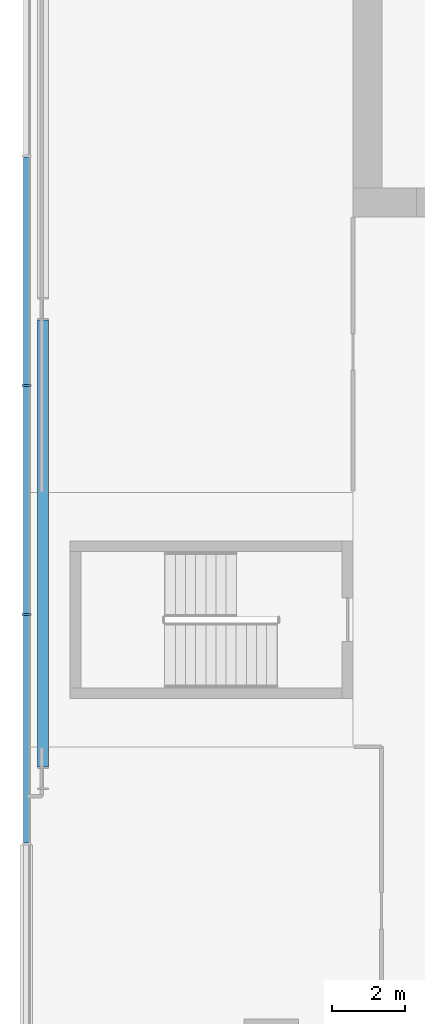
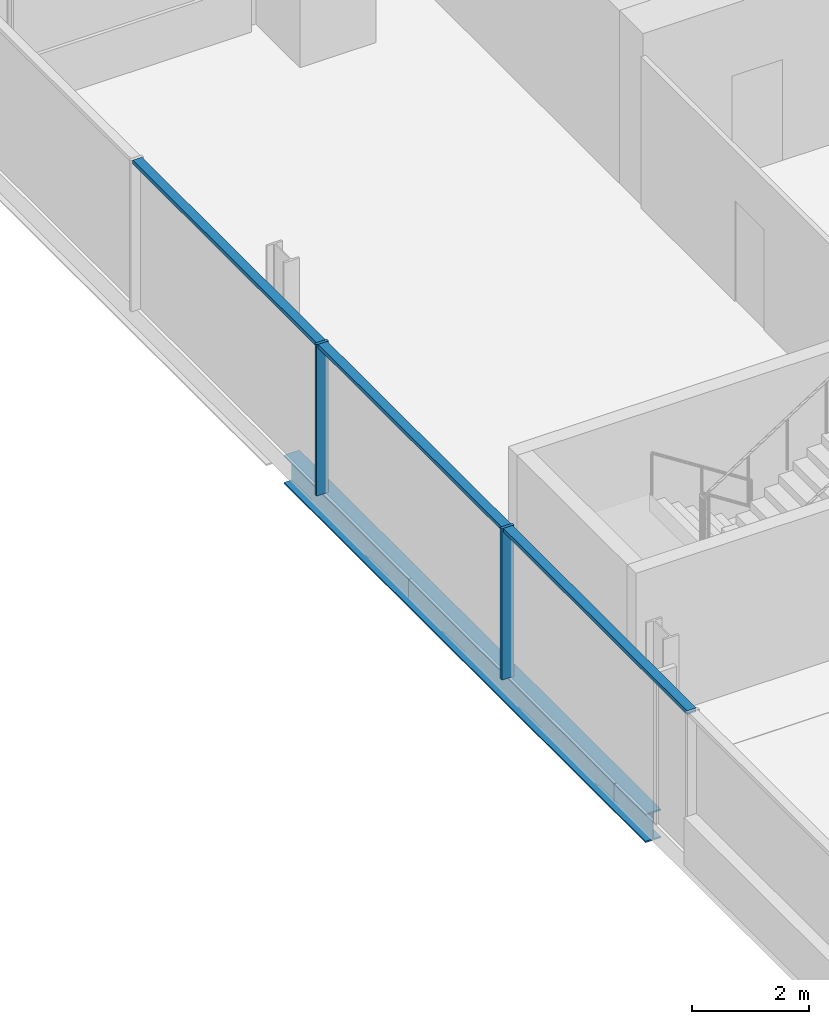
# One storey, part 7 of 24: 5 members, 1 beam, 1 element without a shape of its own.
"""IFC4 building model written with IfcOpenShell, lengths in metres."""

from ifc_helpers import new_model, si_unit, direction, frame, origin, origin_2d, place, context, subcontext, project, spatial, rectangle, i_section, extrude, material, material_profile, profile_set, type_object, element, aggregate, save


model = new_model("IFC4")

# Units and contexts
model_context = context("Model", 3, precision=1e-05, world=origin(), true_north=direction((0.0, 1.0)))
body_context = subcontext(model_context, "Body", "Model", "MODEL_VIEW")
ifc_project = project(units=[si_unit("LENGTHUNIT", "METRE"), si_unit("AREAUNIT", "SQUARE_METRE"), si_unit("VOLUMEUNIT", "CUBIC_METRE"), si_unit("PLANEANGLEUNIT", "RADIAN"), si_unit("MASSUNIT", "GRAM", prefix="KILO")], contexts=[model_context])

# Site, building, storey
site_placement = place(None, origin())
site = spatial("IfcSite", under=ifc_project, at=site_placement, CompositionType="ELEMENT")
building_placement = place(site_placement, origin())
building = spatial("IfcBuilding", under=site, at=building_placement, Name="Wharfspan Tower", CompositionType="ELEMENT")
storey_placement = place(building_placement, frame((0.0, 0.0, 198.699951)))
storey = spatial("IfcBuildingStorey", under=building, at=storey_placement, Name="L49", CompositionType="ELEMENT", Elevation=198.699951)

# Beam
ifc_material_1 = material(Name="Steel S355J2", Category="steel")
ifc_material_profile_1 = material_profile(ifc_material_1, i_section(OverallWidth=0.300049, OverallDepth=0.600098, WebThickness=0.015381, FlangeThickness=0.030029, FilletRadius=0.0271, at=origin_2d()))
ifc_profile_set_1 = profile_set([ifc_material_profile_1], Name="Steel S355J2")
beam_type = type_object("IfcBeamType", Name="Edge beam HEB 600", PredefinedType="SPANDREL", material=ifc_profile_set_1)
beam_placement = place(storey_placement, frame((7.449951, 31.160645, -0.699951), z_axis=(0.0, -1.0, 0.0), x_axis=(1.0, 0.0, 0.0)))
element("IfcBeam", 1, at=beam_placement, inside=storey, type_object=beam_type, Name="Edge beam W L49 PW.1 to PW.2", PredefinedType="SPANDREL", context=body_context, shape_type="SweptSolid", body=[
    extrude(i_section(OverallWidth=0.300049, OverallDepth=0.600098, WebThickness=0.015381, FlangeThickness=0.030029, FilletRadius=0.0271, at=origin_2d()), origin(), (0.0, 0.0, 1.0), 12.321289),
])

# Curtain wall, members
ifc_material_2 = material(Name="Aluminium 6063-T6", Category="aluminium")
curtain_wall_type = type_object("IfcCurtainWallType", Name="CURTAIN WALL PROW AND END", PredefinedType="NOTDEFINED", material=ifc_material_2)
curtain_wall_placement = place(storey_placement, origin())
curtain_wall = element("IfcCurtainWall", 2, at=curtain_wall_placement, inside=storey, type_object=curtain_wall_type, Name="Curtain wall W", PredefinedType="NOTDEFINED")
ifc_material_profile_2 = material_profile(ifc_material_2, rectangle(XDim=0.23999, YDim=0.060059, at=origin_2d()))
ifc_profile_set_2 = profile_set([ifc_material_profile_2], Name="Aluminium 6063-T6")
member_type_1 = type_object("IfcMemberType", Name="MULLION PROW AND END 60x240", PredefinedType="MULLION", material=ifc_profile_set_2)
member_1_placement = place(storey_placement, frame((7.0, 29.360107, 0.0), z_axis=(0.0, 0.0, 1.0), x_axis=(1.0, 0.0, 0.0)))
member_1 = element("IfcMember", 3, at=member_1_placement, type_object=member_type_1, Name="Curtain wall W mullion 3", PredefinedType="MULLION", context=body_context, shape_type="SweptSolid", body=[
    extrude(rectangle(XDim=0.23999, YDim=0.060059, at=origin_2d()), origin(), (0.0, 0.0, 1.0), 3.150146),
])
member_2_placement = place(storey_placement, frame((7.0, 23.040039, 0.0), z_axis=(0.0, 0.0, 1.0), x_axis=(1.0, 0.0, 0.0)))
member_2 = element("IfcMember", 4, at=member_2_placement, type_object=member_type_1, Name="Curtain wall W mullion 4", PredefinedType="MULLION", context=body_context, shape_type="SweptSolid", body=[
    extrude(rectangle(XDim=0.23999, YDim=0.060059, at=origin_2d()), origin(), (0.0, 0.0, 1.0), 3.150146),
])
ifc_material_profile_3 = material_profile(ifc_material_2, rectangle(XDim=0.179932, YDim=0.080078, at=origin_2d()))
ifc_profile_set_3 = profile_set([ifc_material_profile_3], Name="Aluminium 6063-T6")
member_type_2 = type_object("IfcMemberType", Name="TRANSOM PROW AND END 80x180", PredefinedType="USERDEFINED", material=ifc_profile_set_3)
member_3_placement = place(storey_placement, frame((7.0, 35.649902, 3.110107), z_axis=(0.0, -1.0, 0.0), x_axis=(1.0, 0.0, 0.0)))
member_3 = element("IfcMember", 5, at=member_3_placement, type_object=member_type_2, Name="Curtain wall W transom 2", ObjectType="TRANSOM", PredefinedType="USERDEFINED", context=body_context, shape_type="SweptSolid", body=[
    extrude(rectangle(XDim=0.179932, YDim=0.080078, at=origin_2d()), origin(), (0.0, 0.0, 1.0), 6.26001),
])
member_4_placement = place(storey_placement, frame((7.0, 29.330078, 3.110107), z_axis=(0.0, -1.0, 0.0), x_axis=(1.0, 0.0, 0.0)))
member_4 = element("IfcMember", 6, at=member_4_placement, type_object=member_type_2, Name="Curtain wall W transom 3", ObjectType="TRANSOM", PredefinedType="USERDEFINED", context=body_context, shape_type="SweptSolid", body=[
    extrude(rectangle(XDim=0.179932, YDim=0.080078, at=origin_2d()), origin(), (0.0, 0.0, 1.0), 6.26001),
])
member_5_placement = place(storey_placement, frame((7.0, 23.01001, 3.110107), z_axis=(0.0, -1.0, 0.0), x_axis=(1.0, 0.0, 0.0)))
member_5 = element("IfcMember", 7, at=member_5_placement, type_object=member_type_2, Name="Curtain wall W transom 4", ObjectType="TRANSOM", PredefinedType="USERDEFINED", context=body_context, shape_type="SweptSolid", body=[
    extrude(rectangle(XDim=0.179932, YDim=0.080078, at=origin_2d()), origin(), (0.0, 0.0, 1.0), 6.26001),
])
aggregate(curtain_wall, [member_1, member_2, member_3, member_4, member_5])

save(model, "model.ifc")
